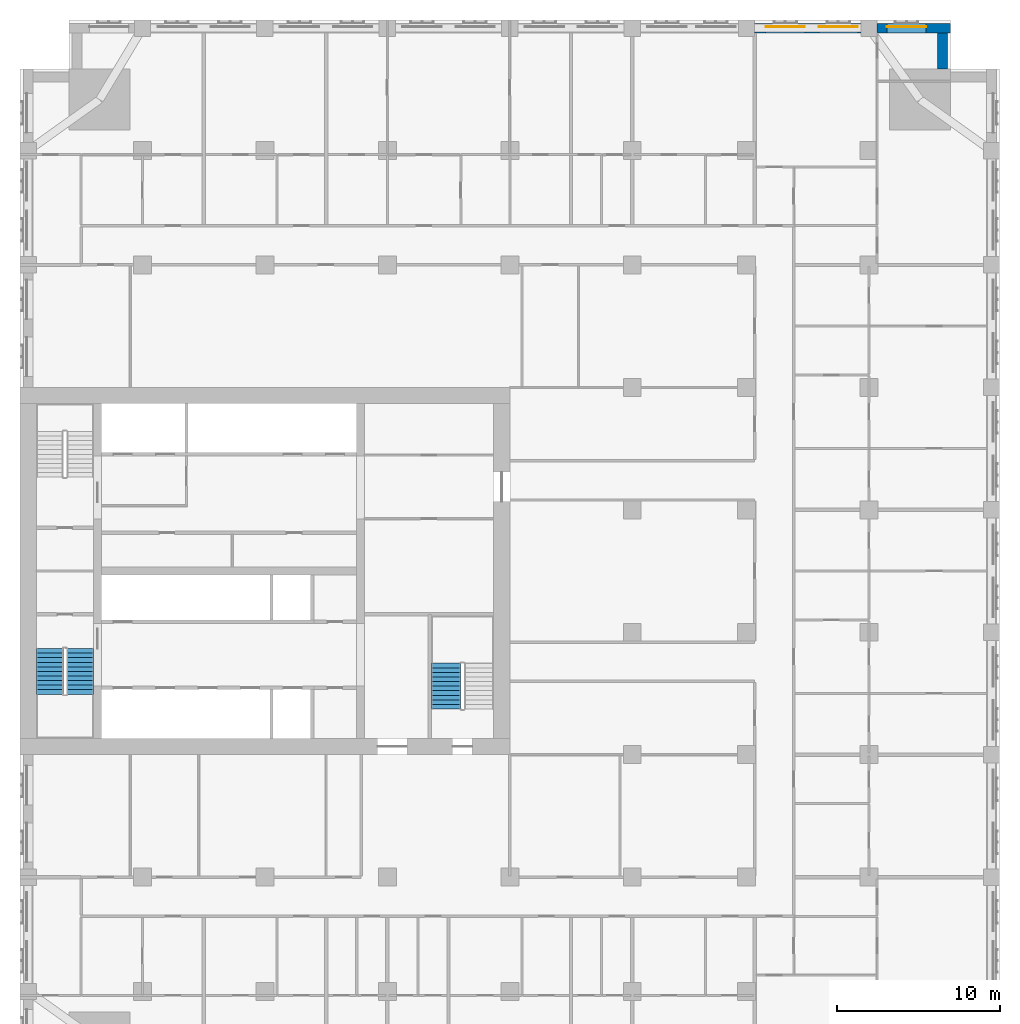
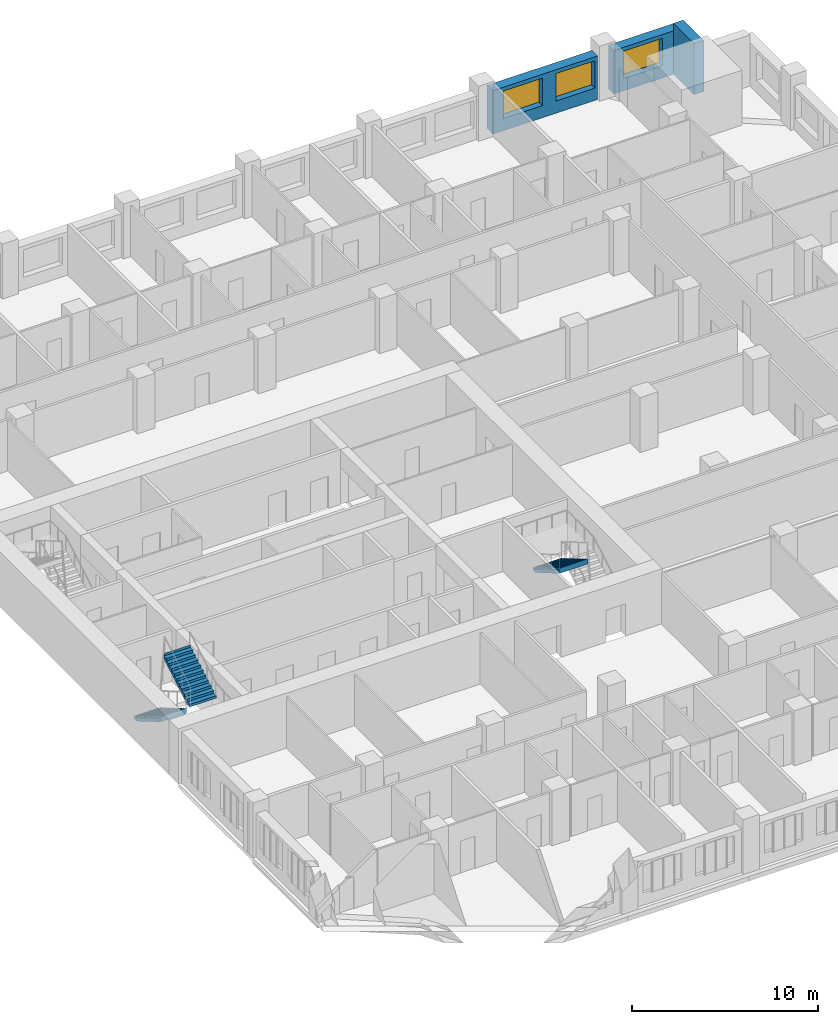
# One storey, part 12 of 14: 3 stair flights, 3 walls, 3 windows, 3 openings, 2 elements without a shape of their own.
"""IFC4 building model written with IfcOpenShell, lengths in metres."""

from ifc_helpers import new_model, si_unit, direction, frame, frame_2d, origin, place, context, subcontext, project, spatial, polyline, rectangle, outline, extrude, material, layer, layer_set, type_object, element, fill, aggregate, save


model = new_model("IFC4")

# Units and contexts
model_context = context("Model", 3, precision=1e-05, world=origin(), true_north=direction((0.0, 1.0)))
body_context = subcontext(model_context, "Body", "Model", "MODEL_VIEW")
ifc_project = project(units=[si_unit("LENGTHUNIT", "METRE"), si_unit("AREAUNIT", "SQUARE_METRE"), si_unit("VOLUMEUNIT", "CUBIC_METRE"), si_unit("PLANEANGLEUNIT", "RADIAN"), si_unit("MASSUNIT", "GRAM", prefix="KILO")], contexts=[model_context])

# Site, building, storey
site_placement = place(None, origin())
site = spatial("IfcSite", under=ifc_project, at=site_placement, CompositionType="ELEMENT")
building_placement = place(site_placement, origin())
building = spatial("IfcBuilding", under=site, at=building_placement, Name="Tamorin Gate", CompositionType="ELEMENT")
storey_placement = place(building_placement, frame((0.0, 0.0, 104.300048828125)))
storey = spatial("IfcBuildingStorey", under=building, at=storey_placement, Name="L25", CompositionType="ELEMENT", Elevation=104.300048828125)

# Wall
ifc_material_1 = material(Name="Precast concrete C40/50", Category="concrete")
ifc_layer = layer(ifc_material_1, 0.60009765625)
ifc_layer_set = layer_set([ifc_layer], Name="Precast concrete C40/50")
wall_type = type_object("IfcWallType", Name="Board-marked concrete facade panel 600", PredefinedType="SOLIDWALL", material=ifc_layer_set)
wall_1_placement = place(storey_placement, frame((86.5, 102.0, 0.0), z_axis=(0.0, 0.0, 1.0), x_axis=(0.0, 1.0, 0.0)))
element("IfcWall", 1, at=wall_1_placement, inside=storey, type_object=wall_type, Name="Facade panel", PredefinedType="SOLIDWALL", context=body_context, shape_type="SweptSolid", body=[
    extrude(rectangle(XDim=2.199951171875, YDim=0.60009765625, at=frame_2d((1.10009765625, 0.0))), origin(), (0.0, 0.0, 1.0), 3.349853515625),
])

# Wall, opening, window
wall_2_placement = place(storey_placement, frame((87.0, 104.5, 0.0), z_axis=(0.0, 0.0, 1.0), x_axis=(-1.0, 0.0, 0.0)))
wall_2 = element("IfcWall", 2, at=wall_2_placement, inside=storey, type_object=wall_type, Name="Facade panel", PredefinedType="SOLIDWALL", context=body_context, shape_type="SweptSolid", body=[
    extrude(rectangle(XDim=4.5, YDim=0.60009765625, at=frame_2d((2.25, 0.0))), origin(), (0.0, 0.0, 1.0), 2.849853515625),
])
opening_1_placement = place(wall_2_placement, frame((1.5, 0.0, 0.800048828125)))
opening_1 = element("IfcOpeningElement", 3, at=opening_1_placement, cuts=wall_2, Name="Opening WN1", PredefinedType="OPENING", context=body_context, shape_type="SweptSolid", body=[
    extrude(rectangle(XDim=2.39990234375, YDim=1.800048828125, at=frame_2d((1.199951171875, 0.89990234375))), frame((0.0, 0.31005859375, 0.0), z_axis=(0.0, -1.0, 0.0), x_axis=(1.0, 0.0, 0.0)), (0.0, 0.0, 1.0), 0.6201171875),
])
ifc_material_2 = material(Name="Clear glass in aluminium frame", Category="aluminium")
window_type = type_object("IfcWindowType", Name="Deep-set window 2400x1800", PartitioningType="SINGLE_PANEL", PredefinedType="WINDOW", material=ifc_material_2)
window_1_placement = place(opening_1_placement, origin())
window_1 = element("IfcWindow", 4, at=window_1_placement, inside=storey, type_object=window_type, Name="Deep-set window", OverallHeight=1.800048828125, OverallWidth=2.39990234375, PartitioningType="SINGLE_PANEL", PredefinedType="WINDOW", context=body_context, shape_type="SweptSolid", body=[
    extrude(rectangle(XDim=2.39990234375, YDim=1.800048828125, at=frame_2d((1.199951171875, 0.89990234375))), frame((0.0, -0.070068359375, 0.0), z_axis=(0.0, -1.0, 0.0), x_axis=(1.0, 0.0, 0.0)), (0.0, 0.0, 1.0), 0.06005859375),
])
fill(opening_1, window_1)

# Wall, openings, windows
wall_3_placement = place(storey_placement, frame((81.5, 104.5, 0.0), z_axis=(0.0, 0.0, 1.0), x_axis=(-1.0, 0.0, 0.0)))
wall_3 = element("IfcWall", 5, at=wall_3_placement, inside=storey, type_object=wall_type, Name="Facade panel", PredefinedType="SOLIDWALL", context=body_context, shape_type="SweptSolid", body=[
    extrude(rectangle(XDim=6.5, YDim=0.60009765625, at=frame_2d((3.25, 0.0))), origin(), (0.0, 0.0, 1.0), 2.849853515625),
])
opening_2_placement = place(wall_3_placement, frame((3.425048828125, 0.0, 0.800048828125)))
opening_2 = element("IfcOpeningElement", 6, at=opening_2_placement, cuts=wall_3, Name="Opening WN1", PredefinedType="OPENING", context=body_context, shape_type="SweptSolid", body=[
    extrude(rectangle(XDim=2.39990234375, YDim=1.800048828125, at=frame_2d((1.199951171875, 0.89990234375))), frame((0.0, 0.31005859375, 0.0), z_axis=(0.0, -1.0, 0.0), x_axis=(1.0, 0.0, 0.0)), (0.0, 0.0, 1.0), 0.6201171875),
])
opening_3_placement = place(wall_3_placement, frame((0.175048828125, 0.0, 0.800048828125)))
opening_3 = element("IfcOpeningElement", 7, at=opening_3_placement, cuts=wall_3, Name="Opening WN1", PredefinedType="OPENING", context=body_context, shape_type="SweptSolid", body=[
    extrude(rectangle(XDim=2.39990234375, YDim=1.800048828125, at=frame_2d((1.199951171875, 0.89990234375))), frame((0.0, 0.31005859375, 0.0), z_axis=(0.0, -1.0, 0.0), x_axis=(1.0, 0.0, 0.0)), (0.0, 0.0, 1.0), 0.6201171875),
])
window_2_placement = place(opening_2_placement, origin())
window_2 = element("IfcWindow", 8, at=window_2_placement, inside=storey, type_object=window_type, Name="Deep-set window", OverallHeight=1.800048828125, OverallWidth=2.39990234375, PartitioningType="SINGLE_PANEL", PredefinedType="WINDOW", context=body_context, shape_type="SweptSolid", body=[
    extrude(rectangle(XDim=2.39990234375, YDim=1.800048828125, at=frame_2d((1.199951171875, 0.89990234375))), frame((0.0, -0.070068359375, 0.0), z_axis=(0.0, -1.0, 0.0), x_axis=(1.0, 0.0, 0.0)), (0.0, 0.0, 1.0), 0.06005859375),
])
fill(opening_2, window_2)
window_3_placement = place(opening_3_placement, origin())
window_3 = element("IfcWindow", 9, at=window_3_placement, inside=storey, type_object=window_type, Name="Deep-set window", OverallHeight=1.800048828125, OverallWidth=2.39990234375, PartitioningType="SINGLE_PANEL", PredefinedType="WINDOW", context=body_context, shape_type="SweptSolid", body=[
    extrude(rectangle(XDim=2.39990234375, YDim=1.800048828125, at=frame_2d((1.199951171875, 0.89990234375))), frame((0.0, -0.070068359375, 0.0), z_axis=(0.0, -1.0, 0.0), x_axis=(1.0, 0.0, 0.0)), (0.0, 0.0, 1.0), 0.06005859375),
])
fill(opening_3, window_3)

# Stair, stair flights
ifc_material_3 = material(Name="Concrete C40/50", Category="concrete")
stair_type = type_object("IfcStairType", Name="Exit stair", PredefinedType="HALF_TURN_STAIR", material=ifc_material_3)
stair_1_placement = place(storey_placement, origin())
stair_1 = element("IfcStair", 10, at=stair_1_placement, inside=storey, type_object=stair_type, Name="L25 stair ST1", PredefinedType="HALF_TURN_STAIR")
stair_flight_type = type_object("IfcStairFlightType", Name="Exit stair flight", PredefinedType="STRAIGHT", material=ifc_material_3)
stair_flight_1_placement = place(storey_placement, frame((31.824951171875, 66.5, 0.0), z_axis=(0.0, 0.0, 1.0), x_axis=(0.0, -1.0, 0.0)))
stair_flight_1 = element("IfcStairFlight", 11, at=stair_flight_1_placement, type_object=stair_flight_type, Name="ST1 flight 1", NumberOfRisers=11, NumberOfTreads=10, PredefinedType="STRAIGHT", RiserHeight=0.163636364, TreadLength=0.28, context=body_context, shape_type="SweptSolid", body=[
    extrude(outline(polyline([(-0.00048828125, 0.0), (-0.00048828125, 0.001708984375), (-0.00048828125, 0.003173828125), (-0.00048828125, 0.0048828125), (-0.00048828125, 0.006591796875), (-0.00048828125, 0.008056640625), (-0.00048828125, 0.009765625), (-0.00048828125, 0.01123046875), (-0.00048828125, 0.012939453125), (-0.00048828125, 0.0146484375), (-0.00048828125, 0.01611328125), (-0.00048828125, 0.017822265625), (-0.00048828125, 0.01953125), (-0.00048828125, 0.02099609375), (-0.00048828125, 0.022705078125), (-0.00048828125, 0.0244140625), (-0.00048828125, 0.02587890625), (-0.00048828125, 0.027587890625), (-0.00048828125, 0.029052734375), (-0.00048828125, 0.03076171875), (-0.00048828125, 0.032470703125), (-0.00048828125, 0.033935546875), (-0.00048828125, 0.03564453125), (-0.00048828125, 0.037353515625), (-0.00048828125, 0.038818359375), (-0.00048828125, 0.04052734375), (-0.00048828125, 0.042236328125), (-0.00048828125, 0.043701171875), (-0.00048828125, 0.04541015625), (-0.00048828125, 0.046875), (-0.00048828125, 0.048583984375), (-0.00048828125, 0.05029296875), (-0.00048828125, 0.0517578125), (-0.00048828125, 0.053466796875), (-0.00048828125, 0.05517578125), (-0.00048828125, 0.056640625), (-0.00048828125, 0.058349609375), (-0.00048828125, 0.06005859375), (-0.00048828125, 0.0615234375), (-0.00048828125, 0.063232421875), (-0.00048828125, 0.064697265625), (-0.00048828125, 0.06640625), (-0.00048828125, 0.068115234375), (-0.00048828125, 0.069580078125), (-0.00048828125, 0.0712890625), (-0.00048828125, 0.072998046875), (-0.00048828125, 0.074462890625), (-0.00048828125, 0.076171875), (-0.00048828125, 0.077880859375), (-0.00048828125, 0.079345703125), (-0.00048828125, 0.0810546875), (-0.00048828125, 0.08251953125), (-0.00048828125, 0.084228515625), (-0.00048828125, 0.0859375), (-0.00048828125, 0.08740234375), (-0.00048828125, 0.089111328125), (-0.00048828125, 0.0908203125), (-0.00048828125, 0.09228515625), (-0.00048828125, 0.093994140625), (-0.00048828125, 0.095703125), (-0.00048828125, 0.09716796875), (-0.00048828125, 0.098876953125), (-0.00048828125, 0.100341796875), (-0.00048828125, 0.10205078125), (-0.00048828125, 0.103759765625), (-0.00048828125, 0.105224609375), (-0.00048828125, 0.10693359375), (-0.00048828125, 0.108642578125), (-0.00048828125, 0.110107421875), (-0.00048828125, 0.11181640625), (-0.00048828125, 0.113525390625), (-0.00048828125, 0.114990234375), (-0.00048828125, 0.11669921875), (-0.00048828125, 0.1181640625), (-0.00048828125, 0.119873046875), (-0.00048828125, 0.12158203125), (-0.00048828125, 0.123046875), (-0.00048828125, 0.124755859375), (-0.00048828125, 0.12646484375), (-0.00048828125, 0.1279296875), (-0.00048828125, 0.129638671875), (-0.00048828125, 0.13134765625), (-0.00048828125, 0.1328125), (-0.00048828125, 0.134521484375), (-0.00048828125, 0.135986328125), (-0.00048828125, 0.1376953125), (-0.00048828125, 0.139404296875), (-0.00048828125, 0.140869140625), (-0.00048828125, 0.142578125), (-0.00048828125, 0.144287109375), (-0.00048828125, 0.145751953125), (-0.00048828125, 0.1474609375), (-0.00048828125, 0.149169921875), (-0.00048828125, 0.150634765625), (-0.00048828125, 0.15234375), (-0.00048828125, 0.15380859375), (-0.00048828125, 0.155517578125), (-0.00048828125, 0.1572265625), (-0.00048828125, 0.15869140625), (-0.00048828125, 0.160400390625), (-0.00048828125, 0.162109375), (-0.00048828125, 0.16357421875), (0.280029296875, 0.16357421875), (0.280029296875, 0.327392578125), (0.56005859375, 0.327392578125), (0.56005859375, 0.490966796875), (0.840087890625, 0.490966796875), (0.840087890625, 0.654541015625), (1.1201171875, 0.654541015625), (1.1201171875, 0.818115234375), (1.39990234375, 0.818115234375), (1.39990234375, 0.98193359375), (1.679931640625, 0.98193359375), (1.679931640625, 1.1455078125), (1.9599609375, 1.1455078125), (1.9599609375, 1.30908203125), (2.239990234375, 1.30908203125), (2.239990234375, 1.47265625), (2.52001953125, 1.47265625), (2.52001953125, 1.636474609375), (2.800048828125, 1.636474609375), (2.800048828125, 1.800048828125), (2.800537109375, 1.800048828125), (2.800537109375, 1.796630859375), (2.800537109375, 1.793212890625), (2.800537109375, 1.7900390625), (2.800537109375, 1.78662109375), (2.800537109375, 1.783203125), (2.800537109375, 1.780029296875), (2.800537109375, 1.776611328125), (2.800537109375, 1.773193359375), (2.800537109375, 1.77001953125), (2.800537109375, 1.7666015625), (2.800537109375, 1.76318359375), (2.800537109375, 1.760009765625), (2.800537109375, 1.756591796875), (2.800537109375, 1.753173828125), (2.800537109375, 1.75), (2.800537109375, 1.74658203125), (2.800537109375, 1.7431640625), (2.800537109375, 1.739990234375), (2.800537109375, 1.736572265625), (2.800537109375, 1.733154296875), (2.800537109375, 1.72998046875), (2.800537109375, 1.7265625), (2.800537109375, 1.72314453125), (2.800537109375, 1.719970703125), (2.800537109375, 1.716552734375), (2.800537109375, 1.713134765625), (2.800537109375, 1.7099609375), (2.800537109375, 1.70654296875), (2.800537109375, 1.703125), (2.800537109375, 1.69970703125), (2.800537109375, 1.696533203125), (2.800537109375, 1.693115234375), (2.800537109375, 1.689697265625), (2.800537109375, 1.6865234375), (2.800537109375, 1.68310546875), (2.800537109375, 1.6796875), (2.800537109375, 1.676513671875), (2.800537109375, 1.673095703125), (2.800537109375, 1.669677734375), (2.800537109375, 1.66650390625), (2.800537109375, 1.6630859375), (2.800537109375, 1.65966796875), (2.800537109375, 1.656494140625), (2.800537109375, 1.653076171875), (2.800537109375, 1.649658203125), (2.800537109375, 1.646484375), (2.800537109375, 1.64306640625), (2.800537109375, 1.6396484375), (2.800537109375, 1.636474609375), (2.800537109375, 1.633056640625), (2.800537109375, 1.629638671875), (2.800537109375, 1.62646484375), (2.800537109375, 1.623046875), (2.800537109375, 1.61962890625), (2.800537109375, 1.616455078125), (2.800537109375, 1.613037109375), (2.800537109375, 1.609619140625), (2.800537109375, 1.6064453125), (2.800537109375, 1.60302734375), (2.800537109375, 1.599609375), (2.800537109375, 1.59619140625), (2.800537109375, 1.593017578125), (2.800537109375, 1.589599609375), (2.800537109375, 1.586181640625), (2.800537109375, 1.5830078125), (2.800537109375, 1.57958984375), (2.800537109375, 1.576171875), (2.800537109375, 1.572998046875), (2.800537109375, 1.569580078125), (2.800537109375, 1.566162109375), (2.800537109375, 1.56298828125), (2.800537109375, 1.5595703125), (2.800537109375, 1.55615234375), (2.800537109375, 1.552978515625), (2.800537109375, 1.549560546875), (2.800537109375, 1.546142578125), (2.800537109375, 1.54296875), (2.800537109375, 1.53955078125), (2.800537109375, 1.5361328125), (2.800537109375, 1.532958984375), (2.800537109375, 1.529541015625), (2.800537109375, 1.526123046875), (2.800537109375, 1.52294921875), (2.800537109375, 1.51953125), (2.800537109375, 1.51611328125), (2.800537109375, 1.512939453125), (2.800537109375, 1.509521484375), (2.800537109375, 1.506103515625), (2.800537109375, 1.5029296875), (2.800537109375, 1.49951171875), (2.800537109375, 1.49609375), (2.800537109375, 1.49267578125), (2.800537109375, 1.489501953125), (2.800537109375, 1.486083984375), (2.800537109375, 1.482666015625), (2.800537109375, 1.4794921875), (2.800537109375, 1.47607421875), (2.800537109375, 1.47265625), (2.800537109375, 1.469482421875), (2.800537109375, 1.466064453125), (2.800537109375, 1.462646484375), (2.800048828125, 1.462646484375), (0.297119140625, 0.0), (-0.00048828125, 0.0)])), frame((0.0, 0.824951171875, 0.0), z_axis=(0.0, -1.0, 0.0), x_axis=(1.0, 0.0, 0.0)), (0.0, 0.0, 1.0), 1.64990234375),
])
stair_flight_2_placement = place(storey_placement, frame((33.675048828125, 63.699951171875, 1.800048828125), z_axis=(0.0, 0.0, 1.0), x_axis=(0.0, 1.0, 0.0)))
stair_flight_2 = element("IfcStairFlight", 12, at=stair_flight_2_placement, type_object=stair_flight_type, Name="ST1 flight 2", NumberOfRisers=11, NumberOfTreads=10, PredefinedType="STRAIGHT", RiserHeight=0.163636364, TreadLength=0.28, context=body_context, shape_type="SweptSolid", body=[
    extrude(outline(polyline([(-0.00048828125, 0.0), (-0.00048828125, 0.001708984375), (-0.00048828125, 0.003173828125), (-0.00048828125, 0.0048828125), (-0.00048828125, 0.006591796875), (-0.00048828125, 0.008056640625), (-0.00048828125, 0.009765625), (-0.00048828125, 0.01123046875), (-0.00048828125, 0.012939453125), (-0.00048828125, 0.0146484375), (-0.00048828125, 0.01611328125), (-0.00048828125, 0.017822265625), (-0.00048828125, 0.01953125), (-0.00048828125, 0.02099609375), (-0.00048828125, 0.022705078125), (-0.00048828125, 0.0244140625), (-0.00048828125, 0.02587890625), (-0.00048828125, 0.027587890625), (-0.00048828125, 0.029052734375), (-0.00048828125, 0.03076171875), (-0.00048828125, 0.032470703125), (-0.00048828125, 0.033935546875), (-0.00048828125, 0.03564453125), (-0.00048828125, 0.037353515625), (-0.00048828125, 0.038818359375), (-0.00048828125, 0.04052734375), (-0.00048828125, 0.042236328125), (-0.00048828125, 0.043701171875), (-0.00048828125, 0.04541015625), (-0.00048828125, 0.046875), (-0.00048828125, 0.048583984375), (-0.00048828125, 0.05029296875), (-0.00048828125, 0.0517578125), (-0.00048828125, 0.053466796875), (-0.00048828125, 0.05517578125), (-0.00048828125, 0.056640625), (-0.00048828125, 0.058349609375), (-0.00048828125, 0.06005859375), (-0.00048828125, 0.0615234375), (-0.00048828125, 0.063232421875), (-0.00048828125, 0.064697265625), (-0.00048828125, 0.06640625), (-0.00048828125, 0.068115234375), (-0.00048828125, 0.069580078125), (-0.00048828125, 0.0712890625), (-0.00048828125, 0.072998046875), (-0.00048828125, 0.074462890625), (-0.00048828125, 0.076171875), (-0.00048828125, 0.077880859375), (-0.00048828125, 0.079345703125), (-0.00048828125, 0.0810546875), (-0.00048828125, 0.08251953125), (-0.00048828125, 0.084228515625), (-0.00048828125, 0.0859375), (-0.00048828125, 0.08740234375), (-0.00048828125, 0.089111328125), (-0.00048828125, 0.0908203125), (-0.00048828125, 0.09228515625), (-0.00048828125, 0.093994140625), (-0.00048828125, 0.095703125), (-0.00048828125, 0.09716796875), (-0.00048828125, 0.098876953125), (-0.00048828125, 0.100341796875), (-0.00048828125, 0.10205078125), (-0.00048828125, 0.103759765625), (-0.00048828125, 0.105224609375), (-0.00048828125, 0.10693359375), (-0.00048828125, 0.108642578125), (-0.00048828125, 0.110107421875), (-0.00048828125, 0.11181640625), (-0.00048828125, 0.113525390625), (-0.00048828125, 0.114990234375), (-0.00048828125, 0.11669921875), (-0.00048828125, 0.1181640625), (-0.00048828125, 0.119873046875), (-0.00048828125, 0.12158203125), (-0.00048828125, 0.123046875), (-0.00048828125, 0.124755859375), (-0.00048828125, 0.12646484375), (-0.00048828125, 0.1279296875), (-0.00048828125, 0.129638671875), (-0.00048828125, 0.13134765625), (-0.00048828125, 0.1328125), (-0.00048828125, 0.134521484375), (-0.00048828125, 0.135986328125), (-0.00048828125, 0.1376953125), (-0.00048828125, 0.139404296875), (-0.00048828125, 0.140869140625), (-0.00048828125, 0.142578125), (-0.00048828125, 0.144287109375), (-0.00048828125, 0.145751953125), (-0.00048828125, 0.1474609375), (-0.00048828125, 0.149169921875), (-0.00048828125, 0.150634765625), (-0.00048828125, 0.15234375), (-0.00048828125, 0.15380859375), (-0.00048828125, 0.155517578125), (-0.00048828125, 0.1572265625), (-0.00048828125, 0.15869140625), (-0.00048828125, 0.160400390625), (-0.00048828125, 0.162109375), (-0.00048828125, 0.16357421875), (0.280029296875, 0.16357421875), (0.280029296875, 0.327392578125), (0.56005859375, 0.327392578125), (0.56005859375, 0.490966796875), (0.840087890625, 0.490966796875), (0.840087890625, 0.654541015625), (1.1201171875, 0.654541015625), (1.1201171875, 0.818115234375), (1.39990234375, 0.818115234375), (1.39990234375, 0.98193359375), (1.679931640625, 0.98193359375), (1.679931640625, 1.1455078125), (1.9599609375, 1.1455078125), (1.9599609375, 1.30908203125), (2.239990234375, 1.30908203125), (2.239990234375, 1.47265625), (2.52001953125, 1.47265625), (2.52001953125, 1.636474609375), (2.800048828125, 1.636474609375), (2.800048828125, 1.800048828125), (2.800537109375, 1.800048828125), (2.800537109375, 1.796630859375), (2.800537109375, 1.793212890625), (2.800537109375, 1.7900390625), (2.800537109375, 1.78662109375), (2.800537109375, 1.783203125), (2.800537109375, 1.780029296875), (2.800537109375, 1.776611328125), (2.800537109375, 1.773193359375), (2.800537109375, 1.77001953125), (2.800537109375, 1.7666015625), (2.800537109375, 1.76318359375), (2.800537109375, 1.760009765625), (2.800537109375, 1.756591796875), (2.800537109375, 1.753173828125), (2.800537109375, 1.75), (2.800537109375, 1.74658203125), (2.800537109375, 1.7431640625), (2.800537109375, 1.739990234375), (2.800537109375, 1.736572265625), (2.800537109375, 1.733154296875), (2.800537109375, 1.72998046875), (2.800537109375, 1.7265625), (2.800537109375, 1.72314453125), (2.800537109375, 1.719970703125), (2.800537109375, 1.716552734375), (2.800537109375, 1.713134765625), (2.800537109375, 1.7099609375), (2.800537109375, 1.70654296875), (2.800537109375, 1.703125), (2.800537109375, 1.69970703125), (2.800537109375, 1.696533203125), (2.800537109375, 1.693115234375), (2.800537109375, 1.689697265625), (2.800537109375, 1.6865234375), (2.800537109375, 1.68310546875), (2.800537109375, 1.6796875), (2.800537109375, 1.676513671875), (2.800537109375, 1.673095703125), (2.800537109375, 1.669677734375), (2.800537109375, 1.66650390625), (2.800537109375, 1.6630859375), (2.800537109375, 1.65966796875), (2.800537109375, 1.656494140625), (2.800537109375, 1.653076171875), (2.800537109375, 1.649658203125), (2.800537109375, 1.646484375), (2.800537109375, 1.64306640625), (2.800537109375, 1.6396484375), (2.800537109375, 1.636474609375), (2.800537109375, 1.633056640625), (2.800537109375, 1.629638671875), (2.800537109375, 1.62646484375), (2.800537109375, 1.623046875), (2.800537109375, 1.61962890625), (2.800537109375, 1.616455078125), (2.800537109375, 1.613037109375), (2.800537109375, 1.609619140625), (2.800537109375, 1.6064453125), (2.800537109375, 1.60302734375), (2.800537109375, 1.599609375), (2.800537109375, 1.59619140625), (2.800537109375, 1.593017578125), (2.800537109375, 1.589599609375), (2.800537109375, 1.586181640625), (2.800537109375, 1.5830078125), (2.800537109375, 1.57958984375), (2.800537109375, 1.576171875), (2.800537109375, 1.572998046875), (2.800537109375, 1.569580078125), (2.800537109375, 1.566162109375), (2.800537109375, 1.56298828125), (2.800537109375, 1.5595703125), (2.800537109375, 1.55615234375), (2.800537109375, 1.552978515625), (2.800537109375, 1.549560546875), (2.800537109375, 1.546142578125), (2.800537109375, 1.54296875), (2.800537109375, 1.53955078125), (2.800537109375, 1.5361328125), (2.800537109375, 1.532958984375), (2.800537109375, 1.529541015625), (2.800537109375, 1.526123046875), (2.800537109375, 1.52294921875), (2.800537109375, 1.51953125), (2.800537109375, 1.51611328125), (2.800537109375, 1.512939453125), (2.800537109375, 1.509521484375), (2.800537109375, 1.506103515625), (2.800537109375, 1.5029296875), (2.800537109375, 1.49951171875), (2.800537109375, 1.49609375), (2.800537109375, 1.49267578125), (2.800537109375, 1.489501953125), (2.800537109375, 1.486083984375), (2.800537109375, 1.482666015625), (2.800537109375, 1.4794921875), (2.800537109375, 1.47607421875), (2.800537109375, 1.47265625), (2.800537109375, 1.469482421875), (2.800537109375, 1.466064453125), (2.800537109375, 1.462646484375), (2.800048828125, 1.462646484375), (0.297119140625, 0.0), (-0.00048828125, 0.0)])), frame((0.0, 0.824951171875, 0.0), z_axis=(0.0, -1.0, 0.0), x_axis=(1.0, 0.0, 0.0)), (0.0, 0.0, 1.0), 1.64990234375),
])
aggregate(stair_1, [stair_flight_1, stair_flight_2])

# Stair, stair flight
stair_2_placement = place(storey_placement, origin())
stair_2 = element("IfcStair", 13, at=stair_2_placement, inside=storey, type_object=stair_type, Name="L25 stair ST3", PredefinedType="HALF_TURN_STAIR")
stair_flight_3_placement = place(storey_placement, frame((56.10009765625, 65.60009765625, 1.800048828125), z_axis=(0.0, 0.0, 1.0), x_axis=(0.0, -1.0, 0.0)))
stair_flight_3 = element("IfcStairFlight", 14, at=stair_flight_3_placement, type_object=stair_flight_type, Name="ST3 flight 2", NumberOfRisers=11, NumberOfTreads=10, PredefinedType="STRAIGHT", RiserHeight=0.163636364, TreadLength=0.28, context=body_context, shape_type="SweptSolid", body=[
    extrude(outline(polyline([(-0.00048828125, 0.0), (-0.00048828125, 0.001708984375), (-0.00048828125, 0.003173828125), (-0.00048828125, 0.0048828125), (-0.00048828125, 0.006591796875), (-0.00048828125, 0.008056640625), (-0.00048828125, 0.009765625), (-0.00048828125, 0.01123046875), (-0.00048828125, 0.012939453125), (-0.00048828125, 0.0146484375), (-0.00048828125, 0.01611328125), (-0.00048828125, 0.017822265625), (-0.00048828125, 0.01953125), (-0.00048828125, 0.02099609375), (-0.00048828125, 0.022705078125), (-0.00048828125, 0.0244140625), (-0.00048828125, 0.02587890625), (-0.00048828125, 0.027587890625), (-0.00048828125, 0.029052734375), (-0.00048828125, 0.03076171875), (-0.00048828125, 0.032470703125), (-0.00048828125, 0.033935546875), (-0.00048828125, 0.03564453125), (-0.00048828125, 0.037353515625), (-0.00048828125, 0.038818359375), (-0.00048828125, 0.04052734375), (-0.00048828125, 0.042236328125), (-0.00048828125, 0.043701171875), (-0.00048828125, 0.04541015625), (-0.00048828125, 0.046875), (-0.00048828125, 0.048583984375), (-0.00048828125, 0.05029296875), (-0.00048828125, 0.0517578125), (-0.00048828125, 0.053466796875), (-0.00048828125, 0.05517578125), (-0.00048828125, 0.056640625), (-0.00048828125, 0.058349609375), (-0.00048828125, 0.06005859375), (-0.00048828125, 0.0615234375), (-0.00048828125, 0.063232421875), (-0.00048828125, 0.064697265625), (-0.00048828125, 0.06640625), (-0.00048828125, 0.068115234375), (-0.00048828125, 0.069580078125), (-0.00048828125, 0.0712890625), (-0.00048828125, 0.072998046875), (-0.00048828125, 0.074462890625), (-0.00048828125, 0.076171875), (-0.00048828125, 0.077880859375), (-0.00048828125, 0.079345703125), (-0.00048828125, 0.0810546875), (-0.00048828125, 0.08251953125), (-0.00048828125, 0.084228515625), (-0.00048828125, 0.0859375), (-0.00048828125, 0.08740234375), (-0.00048828125, 0.089111328125), (-0.00048828125, 0.0908203125), (-0.00048828125, 0.09228515625), (-0.00048828125, 0.093994140625), (-0.00048828125, 0.095703125), (-0.00048828125, 0.09716796875), (-0.00048828125, 0.098876953125), (-0.00048828125, 0.100341796875), (-0.00048828125, 0.10205078125), (-0.00048828125, 0.103759765625), (-0.00048828125, 0.105224609375), (-0.00048828125, 0.10693359375), (-0.00048828125, 0.108642578125), (-0.00048828125, 0.110107421875), (-0.00048828125, 0.11181640625), (-0.00048828125, 0.113525390625), (-0.00048828125, 0.114990234375), (-0.00048828125, 0.11669921875), (-0.00048828125, 0.1181640625), (-0.00048828125, 0.119873046875), (-0.00048828125, 0.12158203125), (-0.00048828125, 0.123046875), (-0.00048828125, 0.124755859375), (-0.00048828125, 0.12646484375), (-0.00048828125, 0.1279296875), (-0.00048828125, 0.129638671875), (-0.00048828125, 0.13134765625), (-0.00048828125, 0.1328125), (-0.00048828125, 0.134521484375), (-0.00048828125, 0.135986328125), (-0.00048828125, 0.1376953125), (-0.00048828125, 0.139404296875), (-0.00048828125, 0.140869140625), (-0.00048828125, 0.142578125), (-0.00048828125, 0.144287109375), (-0.00048828125, 0.145751953125), (-0.00048828125, 0.1474609375), (-0.00048828125, 0.149169921875), (-0.00048828125, 0.150634765625), (-0.00048828125, 0.15234375), (-0.00048828125, 0.15380859375), (-0.00048828125, 0.155517578125), (-0.00048828125, 0.1572265625), (-0.00048828125, 0.15869140625), (-0.00048828125, 0.160400390625), (-0.00048828125, 0.162109375), (-0.00048828125, 0.16357421875), (0.280029296875, 0.16357421875), (0.280029296875, 0.327392578125), (0.56005859375, 0.327392578125), (0.56005859375, 0.490966796875), (0.840087890625, 0.490966796875), (0.840087890625, 0.654541015625), (1.1201171875, 0.654541015625), (1.1201171875, 0.818115234375), (1.39990234375, 0.818115234375), (1.39990234375, 0.98193359375), (1.679931640625, 0.98193359375), (1.679931640625, 1.1455078125), (1.9599609375, 1.1455078125), (1.9599609375, 1.30908203125), (2.239990234375, 1.30908203125), (2.239990234375, 1.47265625), (2.52001953125, 1.47265625), (2.52001953125, 1.636474609375), (2.800048828125, 1.636474609375), (2.800048828125, 1.800048828125), (2.800537109375, 1.800048828125), (2.800537109375, 1.796630859375), (2.800537109375, 1.793212890625), (2.800537109375, 1.7900390625), (2.800537109375, 1.78662109375), (2.800537109375, 1.783203125), (2.800537109375, 1.780029296875), (2.800537109375, 1.776611328125), (2.800537109375, 1.773193359375), (2.800537109375, 1.77001953125), (2.800537109375, 1.7666015625), (2.800537109375, 1.76318359375), (2.800537109375, 1.760009765625), (2.800537109375, 1.756591796875), (2.800537109375, 1.753173828125), (2.800537109375, 1.75), (2.800537109375, 1.74658203125), (2.800537109375, 1.7431640625), (2.800537109375, 1.739990234375), (2.800537109375, 1.736572265625), (2.800537109375, 1.733154296875), (2.800537109375, 1.72998046875), (2.800537109375, 1.7265625), (2.800537109375, 1.72314453125), (2.800537109375, 1.719970703125), (2.800537109375, 1.716552734375), (2.800537109375, 1.713134765625), (2.800537109375, 1.7099609375), (2.800537109375, 1.70654296875), (2.800537109375, 1.703125), (2.800537109375, 1.69970703125), (2.800537109375, 1.696533203125), (2.800537109375, 1.693115234375), (2.800537109375, 1.689697265625), (2.800537109375, 1.6865234375), (2.800537109375, 1.68310546875), (2.800537109375, 1.6796875), (2.800537109375, 1.676513671875), (2.800537109375, 1.673095703125), (2.800537109375, 1.669677734375), (2.800537109375, 1.66650390625), (2.800537109375, 1.6630859375), (2.800537109375, 1.65966796875), (2.800537109375, 1.656494140625), (2.800537109375, 1.653076171875), (2.800537109375, 1.649658203125), (2.800537109375, 1.646484375), (2.800537109375, 1.64306640625), (2.800537109375, 1.6396484375), (2.800537109375, 1.636474609375), (2.800537109375, 1.633056640625), (2.800537109375, 1.629638671875), (2.800537109375, 1.62646484375), (2.800537109375, 1.623046875), (2.800537109375, 1.61962890625), (2.800537109375, 1.616455078125), (2.800537109375, 1.613037109375), (2.800537109375, 1.609619140625), (2.800537109375, 1.6064453125), (2.800537109375, 1.60302734375), (2.800537109375, 1.599609375), (2.800537109375, 1.59619140625), (2.800537109375, 1.593017578125), (2.800537109375, 1.589599609375), (2.800537109375, 1.586181640625), (2.800537109375, 1.5830078125), (2.800537109375, 1.57958984375), (2.800537109375, 1.576171875), (2.800537109375, 1.572998046875), (2.800537109375, 1.569580078125), (2.800537109375, 1.566162109375), (2.800537109375, 1.56298828125), (2.800537109375, 1.5595703125), (2.800537109375, 1.55615234375), (2.800537109375, 1.552978515625), (2.800537109375, 1.549560546875), (2.800537109375, 1.546142578125), (2.800537109375, 1.54296875), (2.800537109375, 1.53955078125), (2.800537109375, 1.5361328125), (2.800537109375, 1.532958984375), (2.800537109375, 1.529541015625), (2.800537109375, 1.526123046875), (2.800537109375, 1.52294921875), (2.800537109375, 1.51953125), (2.800537109375, 1.51611328125), (2.800537109375, 1.512939453125), (2.800537109375, 1.509521484375), (2.800537109375, 1.506103515625), (2.800537109375, 1.5029296875), (2.800537109375, 1.49951171875), (2.800537109375, 1.49609375), (2.800537109375, 1.49267578125), (2.800537109375, 1.489501953125), (2.800537109375, 1.486083984375), (2.800537109375, 1.482666015625), (2.800537109375, 1.4794921875), (2.800537109375, 1.47607421875), (2.800537109375, 1.47265625), (2.800537109375, 1.469482421875), (2.800537109375, 1.466064453125), (2.800537109375, 1.462646484375), (2.800048828125, 1.462646484375), (0.297119140625, 0.0), (-0.00048828125, 0.0)])), frame((0.0, 0.89990234375, 0.0), z_axis=(0.0, -1.0, 0.0), x_axis=(1.0, 0.0, 0.0)), (0.0, 0.0, 1.0), 1.800048828125),
])
aggregate(stair_2, [stair_flight_3])

save(model, "model.ifc")
